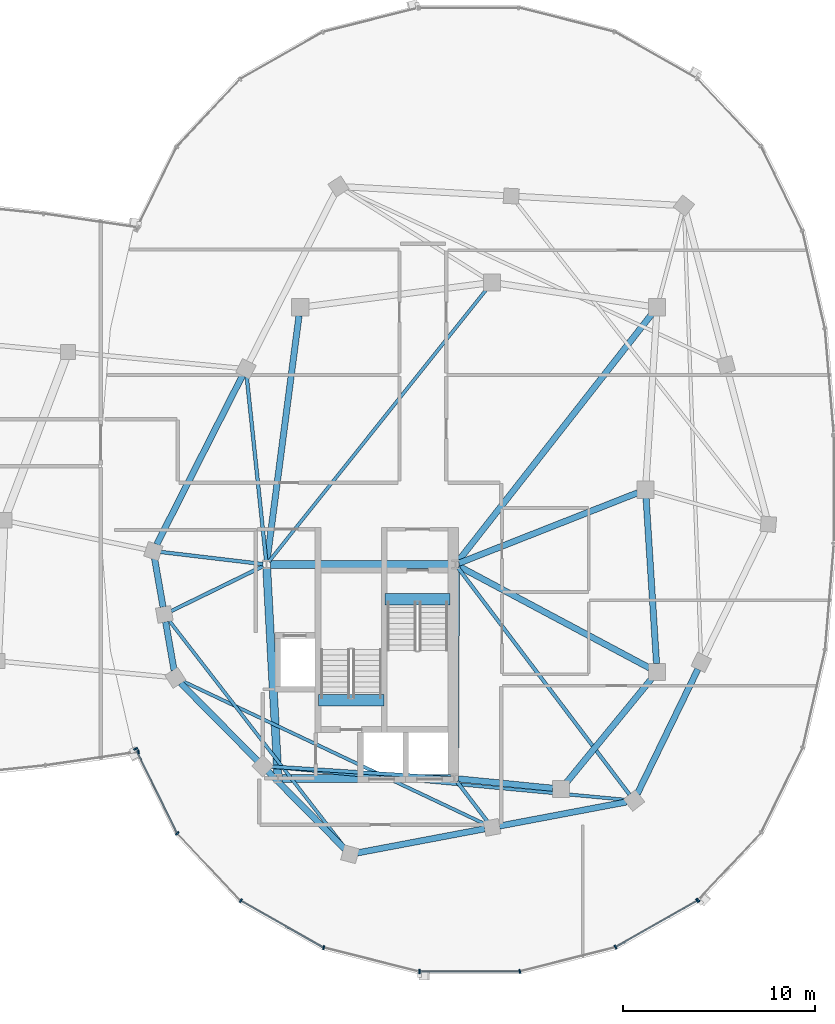
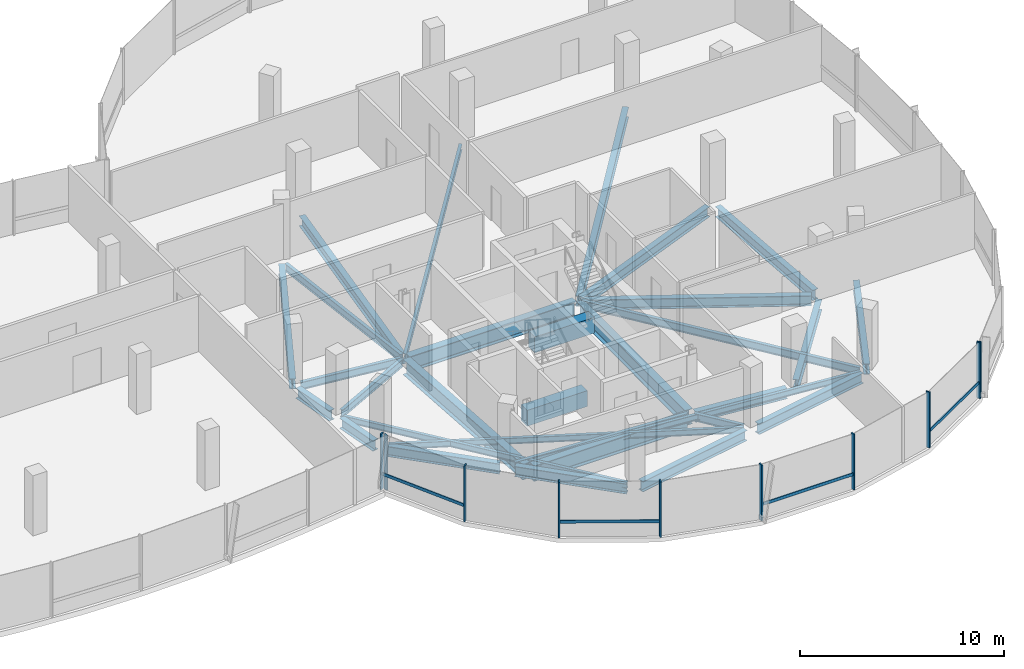
# One storey, part 8 of 25: 31 beams, 14 members, 3 elements without a shape of their own.
"""IFC4 building model written with IfcOpenShell, lengths in metres."""

from ifc_helpers import new_model, si_unit, direction, frame, origin, origin_2d, place, context, subcontext, project, spatial, rectangle, i_section, extrude, material, material_profile, profile_set, type_object, element, aggregate, save


model = new_model("IFC4")

# Units and contexts
model_context = context("Model", 3, precision=1e-05, world=origin(), true_north=direction((0.0, 1.0)))
body_context = subcontext(model_context, "Body", "Model", "MODEL_VIEW")
ifc_project = project(units=[si_unit("LENGTHUNIT", "METRE"), si_unit("AREAUNIT", "SQUARE_METRE"), si_unit("VOLUMEUNIT", "CUBIC_METRE"), si_unit("PLANEANGLEUNIT", "RADIAN"), si_unit("MASSUNIT", "GRAM", prefix="KILO"), si_unit("THERMODYNAMICTEMPERATUREUNIT", "KELVIN"), si_unit("POWERUNIT", "WATT")], contexts=[model_context])

# Site, building, storey
site_placement = place(None, origin())
site = spatial("IfcSite", under=ifc_project, at=site_placement, CompositionType="ELEMENT")
building_placement = place(site_placement, origin())
building = spatial("IfcBuilding", under=site, at=building_placement, Name="Cundina Bronze Exchange", CompositionType="ELEMENT")
storey_placement = place(building_placement, frame((0.0, 0.0, 246.800048828125)))
storey = spatial("IfcBuildingStorey", under=building, at=storey_placement, Name="L65", CompositionType="ELEMENT", Elevation=246.800048828125)

# Beams
ifc_material_1 = material(Name="Concrete C60/75", Category="concrete")
ifc_material_profile_1 = material_profile(ifc_material_1, rectangle(XDim=0.60009765625, YDim=0.949951171875, at=origin_2d()), Name="RC600X950", Category="concrete")
ifc_profile_set_1 = profile_set([ifc_material_profile_1], Name="Concrete C60/75")
beam_type_1 = type_object("IfcBeamType", Name="BM-COUP-RC950", PredefinedType="LINTEL", material=ifc_profile_set_1)
beam_1_placement = place(storey_placement, frame((27.6201171875, -5.719970703125, -0.47509765625), z_axis=(1.0, 0.0, 0.0), x_axis=(0.0, 1.0, 0.0)))
element("IfcBeam", 1, at=beam_1_placement, inside=storey, type_object=beam_type_1, Name="L65 Stair E1 Landing Header Beam", PredefinedType="LINTEL", context=body_context, shape_type="SweptSolid", body=[
    extrude(rectangle(XDim=0.60009765625, YDim=0.949951171875, at=origin_2d()), origin(), (0.0, 0.0, 1.0), 3.39990234375),
])
beam_2_placement = place(storey_placement, frame((24.159912109375, -10.97998046875, -0.47509765625), z_axis=(1.0, 0.0, 0.0), x_axis=(0.0, 1.0, 0.0)))
element("IfcBeam", 2, at=beam_2_placement, inside=storey, type_object=beam_type_1, Name="L65 Stair E2 Landing Header Beam", PredefinedType="LINTEL", context=body_context, shape_type="SweptSolid", body=[
    extrude(rectangle(XDim=0.60009765625, YDim=0.949951171875, at=origin_2d()), origin(), (0.0, 0.0, 1.0), 3.400146484375),
])
ifc_material_2 = material(Name="Steel ASTM A992 Grade 50", Category="steel")
ifc_material_profile_2 = material_profile(ifc_material_2, i_section(OverallWidth=0.19091796875, OverallDepth=0.4599609375, WebThickness=0.010009765625, FlangeThickness=0.01611328125, FilletRadius=0.011962890625, at=origin_2d()), Name="W18X55", Category="steel")
ifc_profile_set_2 = profile_set([ifc_material_profile_2], Name="Steel ASTM A992 Grade 50")
beam_type_2 = type_object("IfcBeamType", Name="BM-FLR-W18B", PredefinedType="BEAM", material=ifc_profile_set_2)
beam_3_placement = place(storey_placement, frame((21.25537109375, -3.876953125, -0.489990234375), z_axis=(-0.993031892142, 0.117845921393, 0.0), x_axis=(-0.117845921393, -0.993031892142, 0.0)))
element("IfcBeam", 3, at=beam_3_placement, inside=storey, type_object=beam_type_2, Name="L65 Leg E Chordal Floor Beam 00", PredefinedType="BEAM", context=body_context, shape_type="SweptSolid", body=[
    extrude(i_section(OverallWidth=0.19091796875, OverallDepth=0.4599609375, WebThickness=0.010009765625, FlangeThickness=0.01611328125, FilletRadius=0.011962890625, at=origin_2d()), origin(), (0.0, 0.0, 1.0), 5.357421875),
])
beam_4_placement = place(storey_placement, frame((21.27392578125, -3.986083984375, -0.489990234375), z_axis=(-0.898610260891, -0.438747762412, 0.0), x_axis=(0.438747762412, -0.898610260891, 0.0)))
element("IfcBeam", 4, at=beam_4_placement, inside=storey, type_object=beam_type_2, Name="L65 Leg E Chordal Floor Beam 01", PredefinedType="BEAM", context=body_context, shape_type="SweptSolid", body=[
    extrude(i_section(OverallWidth=0.19091796875, OverallDepth=0.4599609375, WebThickness=0.010009765625, FlangeThickness=0.01611328125, FilletRadius=0.011962890625, at=origin_2d()), origin(), (0.0, 0.0, 1.0), 5.341796875),
])
beam_5_placement = place(storey_placement, frame((31.054443359375, -15.037353515625, -0.489990234375), z_axis=(-0.997894580734, 0.064856809527, 0.0), x_axis=(-0.064856809527, -0.997894580734, 0.0)))
element("IfcBeam", 5, at=beam_5_placement, inside=storey, type_object=beam_type_2, Name="L65 Leg E Chordal Floor Beam 03", PredefinedType="BEAM", context=body_context, shape_type="SweptSolid", body=[
    extrude(i_section(OverallWidth=0.19091796875, OverallDepth=0.4599609375, WebThickness=0.010009765625, FlangeThickness=0.01611328125, FilletRadius=0.011962890625, at=origin_2d()), origin(), (0.0, 0.0, 1.0), 9.43701171875),
])
beam_6_placement = place(storey_placement, frame((31.369140625, -15.205810546875, -0.489990234375), z_axis=(0.607470812638, -0.794341999263, 0.0), x_axis=(0.794341999263, 0.607470812638, 0.0)))
element("IfcBeam", 6, at=beam_6_placement, inside=storey, type_object=beam_type_2, Name="L65 Leg E Chordal Floor Beam 05", PredefinedType="BEAM", context=body_context, shape_type="SweptSolid", body=[
    extrude(i_section(OverallWidth=0.19091796875, OverallDepth=0.4599609375, WebThickness=0.010009765625, FlangeThickness=0.01611328125, FilletRadius=0.011962890625, at=origin_2d()), origin(), (0.0, 0.0, 1.0), 2.6259765625),
])
beam_7_placement = place(storey_placement, frame((31.418212890625, -4.056396484375, -0.489990234375), z_axis=(0.603112871583, -0.797655855699, 0.0), x_axis=(0.797655855699, 0.603112871583, 0.0)))
element("IfcBeam", 7, at=beam_7_placement, inside=storey, type_object=beam_type_2, Name="L65 Leg E Chordal Floor Beam 06", PredefinedType="BEAM", context=body_context, shape_type="SweptSolid", body=[
    extrude(i_section(OverallWidth=0.19091796875, OverallDepth=0.4599609375, WebThickness=0.010009765625, FlangeThickness=0.01611328125, FilletRadius=0.011962890625, at=origin_2d()), origin(), (0.0, 0.0, 1.0), 14.8359375),
])
beam_8_placement = place(storey_placement, frame((21.429443359375, -3.705078125, -0.489990234375), z_axis=(-0.10480040809, 0.994493275223, 0.0), x_axis=(-0.994493275223, -0.10480040809, 0.0)))
element("IfcBeam", 8, at=beam_8_placement, inside=storey, type_object=beam_type_2, Name="L65 Leg E Chordal Floor Beam 13", PredefinedType="BEAM", context=body_context, shape_type="SweptSolid", body=[
    extrude(i_section(OverallWidth=0.19091796875, OverallDepth=0.4599609375, WebThickness=0.010009765625, FlangeThickness=0.01611328125, FilletRadius=0.011962890625, at=origin_2d()), origin(), (0.0, 0.0, 1.0), 9.67236328125),
])
ifc_material_profile_3 = material_profile(ifc_material_2, i_section(OverallWidth=0.172119140625, OverallDepth=0.35791015625, WebThickness=0.0078125, FlangeThickness=0.01318359375, FilletRadius=0.010009765625, at=origin_2d()), Name="W14X38", Category="steel")
ifc_profile_set_3 = profile_set([ifc_material_profile_3], Name="Steel ASTM A992 Grade 50")
beam_type_3 = type_object("IfcBeamType", Name="BM-JST-W14", PredefinedType="JOIST", material=ifc_profile_set_3)
beam_9_placement = place(storey_placement, frame((21.572509765625, -3.746826171875, -0.43896484375), z_axis=(0.624364266872, 0.781133319129, 0.0), x_axis=(-0.781133319129, 0.624364266872, 0.0)))
element("IfcBeam", 9, at=beam_9_placement, inside=storey, type_object=beam_type_3, Name="L65 E Interior Core-to-Ring Joist 2", PredefinedType="JOIST", context=body_context, shape_type="SweptSolid", body=[
    extrude(i_section(OverallWidth=0.172119140625, OverallDepth=0.35791015625, WebThickness=0.0078125, FlangeThickness=0.01318359375, FilletRadius=0.010009765625, at=origin_2d()), origin(), (0.0, 0.0, 1.0), 18.184814453125),
])
beam_10_placement = place(storey_placement, frame((16.362548828125, -6.806884765625, -0.43896484375), z_axis=(0.612077855816, -0.790797507849, 0.0), x_axis=(0.790797507849, 0.612077855816, 0.0)))
element("IfcBeam", 10, at=beam_10_placement, inside=storey, type_object=beam_type_3, Name="L65 Leg E Lobe Floor Joist 01-04", PredefinedType="JOIST", context=body_context, shape_type="SweptSolid", body=[
    extrude(i_section(OverallWidth=0.172119140625, OverallDepth=0.35791015625, WebThickness=0.0078125, FlangeThickness=0.01318359375, FilletRadius=0.010009765625, at=origin_2d()), origin(), (0.0, 0.0, 1.0), 15.03076171875),
])
beam_11_placement = place(storey_placement, frame((17.05078125, -9.9658203125, -0.43896484375), z_axis=(0.904073247994, -0.427377540661, 0.0), x_axis=(0.427377540661, 0.904073247994, 0.0)))
element("IfcBeam", 11, at=beam_11_placement, inside=storey, type_object=beam_type_3, Name="L65 Leg E Lobe Floor Joist 02-05", PredefinedType="JOIST", context=body_context, shape_type="SweptSolid", body=[
    extrude(i_section(OverallWidth=0.172119140625, OverallDepth=0.35791015625, WebThickness=0.0078125, FlangeThickness=0.01318359375, FilletRadius=0.010009765625, at=origin_2d()), origin(), (0.0, 0.0, 1.0), 17.474609375),
])
beam_12_placement = place(storey_placement, frame((21.63623046875, -14.435791015625, -0.43896484375), z_axis=(0.995700514338, -0.092630911398, 0.0), x_axis=(0.092630911398, 0.995700514338, 0.0)))
element("IfcBeam", 12, at=beam_12_placement, inside=storey, type_object=beam_type_3, Name="L65 Leg E Lobe Floor Joist 03-06", PredefinedType="JOIST", context=body_context, shape_type="SweptSolid", body=[
    extrude(i_section(OverallWidth=0.172119140625, OverallDepth=0.35791015625, WebThickness=0.0078125, FlangeThickness=0.01318359375, FilletRadius=0.010009765625, at=origin_2d()), origin(), (0.0, 0.0, 1.0), 18.65771484375),
])
ifc_material_profile_4 = material_profile(ifc_material_2, i_section(OverallWidth=0.324951171875, OverallDepth=0.615966796875, WebThickness=0.013916015625, FlangeThickness=0.021484375, FilletRadius=0.01611328125, at=origin_2d()), Name="W24X117", Category="steel")
ifc_profile_set_4 = profile_set([ifc_material_profile_4], Name="Steel ASTM A992 Grade 50")
beam_type_4 = type_object("IfcBeamType", Name="BM-RING-W24", PredefinedType="USERDEFINED", material=ifc_profile_set_4)
beam_13_placement = place(storey_placement, frame((31.445068359375, -15.0693359375, -0.568115234375), z_axis=(0.995123854478, -0.09863323096, 0.0), x_axis=(0.09863323096, 0.995123854478, 0.0)))
element("IfcBeam", 13, at=beam_13_placement, inside=storey, type_object=beam_type_4, Name="L65 E Inner Structural Ring Girder 01", ObjectType="GIRDER", PredefinedType="USERDEFINED", context=body_context, shape_type="SweptSolid", body=[
    extrude(i_section(OverallWidth=0.324951171875, OverallDepth=0.615966796875, WebThickness=0.013916015625, FlangeThickness=0.021484375, FilletRadius=0.01611328125, at=origin_2d()), origin(), (0.0, 0.0, 1.0), 4.943115234375),
])
beam_14_placement = place(storey_placement, frame((37.07763671875, -15.26123046875, -0.568115234375), z_axis=(0.633912590175, 0.77340469873, 0.0), x_axis=(-0.77340469873, 0.633912590175, 0.0)))
element("IfcBeam", 14, at=beam_14_placement, inside=storey, type_object=beam_type_4, Name="L65 E Inner Structural Ring Girder 02", ObjectType="GIRDER", PredefinedType="USERDEFINED", context=body_context, shape_type="SweptSolid", body=[
    extrude(i_section(OverallWidth=0.324951171875, OverallDepth=0.615966796875, WebThickness=0.013916015625, FlangeThickness=0.021484375, FilletRadius=0.01611328125, at=origin_2d()), origin(), (0.0, 0.0, 1.0), 7.01123046875),
])
beam_15_placement = place(storey_placement, frame((41.7724609375, -9.06298828125, -0.568115234375), z_axis=(-0.063046519736, 0.998010589297, 0.0), x_axis=(-0.998010589297, -0.063046519736, 0.0)))
element("IfcBeam", 15, at=beam_15_placement, inside=storey, type_object=beam_type_4, Name="L65 E Inner Structural Ring Girder 03", ObjectType="GIRDER", PredefinedType="USERDEFINED", context=body_context, shape_type="SweptSolid", body=[
    extrude(i_section(OverallWidth=0.324951171875, OverallDepth=0.615966796875, WebThickness=0.013916015625, FlangeThickness=0.021484375, FilletRadius=0.01611328125, at=origin_2d()), origin(), (0.0, 0.0, 1.0), 8.64306640625),
])
beam_16_placement = place(storey_placement, frame((23.143310546875, 9.065673828125, -0.568115234375), z_axis=(-0.129501251979, -0.991579258424, 0.0), x_axis=(0.991579258424, -0.129501251979, 0.0)))
element("IfcBeam", 16, at=beam_16_placement, inside=storey, type_object=beam_type_4, Name="L65 E Inner Structural Ring Girder 07", ObjectType="GIRDER", PredefinedType="USERDEFINED", context=body_context, shape_type="SweptSolid", body=[
    extrude(i_section(OverallWidth=0.324951171875, OverallDepth=0.615966796875, WebThickness=0.013916015625, FlangeThickness=0.021484375, FilletRadius=0.01611328125, at=origin_2d()), origin(), (0.0, 0.0, 1.0), 12.8798828125),
])
beam_17_placement = place(storey_placement, frame((31.482421875, -3.828125, -0.568115234375), z_axis=(0.930404106569, 0.366535398673, 0.0), x_axis=(-0.366535398673, 0.930404106569, 0.0)))
element("IfcBeam", 17, at=beam_17_placement, inside=storey, type_object=beam_type_4, Name="L65 E Core-to-Waist Tie Beam 1", ObjectType="GIRDER", PredefinedType="USERDEFINED", context=body_context, shape_type="SweptSolid", body=[
    extrude(i_section(OverallWidth=0.324951171875, OverallDepth=0.615966796875, WebThickness=0.013916015625, FlangeThickness=0.021484375, FilletRadius=0.01611328125, at=origin_2d()), origin(), (0.0, 0.0, 1.0), 10.00634765625),
])
beam_18_placement = place(storey_placement, frame((31.472900390625, -3.9921875, -0.568115234375), z_axis=(0.882350541683, -0.470592734317, 0.0), x_axis=(0.470592734317, 0.882350541683, 0.0)))
element("IfcBeam", 18, at=beam_18_placement, inside=storey, type_object=beam_type_4, Name="L65 E Core-to-Waist Tie Beam 2", ObjectType="GIRDER", PredefinedType="USERDEFINED", context=body_context, shape_type="SweptSolid", body=[
    extrude(i_section(OverallWidth=0.324951171875, OverallDepth=0.615966796875, WebThickness=0.013916015625, FlangeThickness=0.021484375, FilletRadius=0.01611328125, at=origin_2d()), origin(), (0.0, 0.0, 1.0), 11.26611328125),
])
beam_19_placement = place(storey_placement, frame((31.4208984375, -3.74560546875, -0.568115234375), z_axis=(0.616782900053, 0.787133314123, 0.0), x_axis=(-0.787133314123, 0.616782900053, 0.0)))
element("IfcBeam", 19, at=beam_19_placement, inside=storey, type_object=beam_type_4, Name="L65 E Core-to-Waist Tie Beam 3", ObjectType="GIRDER", PredefinedType="USERDEFINED", context=body_context, shape_type="SweptSolid", body=[
    extrude(i_section(OverallWidth=0.324951171875, OverallDepth=0.615966796875, WebThickness=0.013916015625, FlangeThickness=0.021484375, FilletRadius=0.01611328125, at=origin_2d()), origin(), (0.0, 0.0, 1.0), 16.3896484375),
])
for number, where, z_axis, x_axis, name in (
    (20, (15.61669921875, -3.582275390625, -0.568115234375), (0.171593362587, -0.985167862811, 0.0), (0.985167862811, 0.171593362587, 0.0), "L65 E Perimeter Ring Girder 00"),
    (21, (16.191650390625, -6.882080078125, -0.568115234375), (0.171593362587, -0.985167862811, 0.0), (0.985167862811, 0.171593362587, 0.0), "L65 E Perimeter Ring Girder 01"),
):
    element("IfcBeam", number, at=place(storey_placement, frame(where, z_axis=z_axis, x_axis=x_axis)), inside=storey, type_object=beam_type_4, Name=name, ObjectType="GIRDER", PredefinedType="USERDEFINED", context=body_context, shape_type="SweptSolid", body=[
        extrude(i_section(OverallWidth=0.324951171875, OverallDepth=0.615966796875, WebThickness=0.013916015625, FlangeThickness=0.021484375, FilletRadius=0.01611328125, at=origin_2d()), origin(), (0.0, 0.0, 1.0), 2.57373046875),
    ])
beam_20_placement = place(storey_placement, frame((16.972900390625, -10.075927734375, -0.568115234375), z_axis=(0.703237257446, -0.710955244541, 0.0), x_axis=(0.710955244541, 0.703237257446, 0.0)))
element("IfcBeam", 22, at=beam_20_placement, inside=storey, type_object=beam_type_4, Name="L65 E Perimeter Ring Girder 02", ObjectType="GIRDER", PredefinedType="USERDEFINED", context=body_context, shape_type="SweptSolid", body=[
    extrude(i_section(OverallWidth=0.324951171875, OverallDepth=0.615966796875, WebThickness=0.013916015625, FlangeThickness=0.021484375, FilletRadius=0.01611328125, at=origin_2d()), origin(), (0.0, 0.0, 1.0), 5.69384765625),
])
beam_21_placement = place(storey_placement, frame((21.52294921875, -14.67578125, -0.568115234375), z_axis=(0.703215820204, -0.710976448425, 0.0), x_axis=(0.710976448425, 0.703215820204, 0.0)))
element("IfcBeam", 23, at=beam_21_placement, inside=storey, type_object=beam_type_4, Name="L65 E Perimeter Ring Girder 03", ObjectType="GIRDER", PredefinedType="USERDEFINED", context=body_context, shape_type="SweptSolid", body=[
    extrude(i_section(OverallWidth=0.324951171875, OverallDepth=0.615966796875, WebThickness=0.013916015625, FlangeThickness=0.021484375, FilletRadius=0.01611328125, at=origin_2d()), origin(), (0.0, 0.0, 1.0), 5.694091796875),
])
beam_22_placement = place(storey_placement, frame((26.18115234375, -18.927978515625, -0.568115234375), z_axis=(0.982568104771, 0.185902984072, 0.0), x_axis=(-0.185902984072, 0.982568104771, 0.0)))
element("IfcBeam", 24, at=beam_22_placement, inside=storey, type_object=beam_type_4, Name="L65 E Perimeter Ring Girder 04", ObjectType="GIRDER", PredefinedType="USERDEFINED", context=body_context, shape_type="SweptSolid", body=[
    extrude(i_section(OverallWidth=0.324951171875, OverallDepth=0.615966796875, WebThickness=0.013916015625, FlangeThickness=0.021484375, FilletRadius=0.01611328125, at=origin_2d()), origin(), (0.0, 0.0, 1.0), 6.75537109375),
])
beam_23_placement = place(storey_placement, frame((33.581298828125, -17.52783203125, -0.568115234375), z_axis=(0.982573456977, 0.185874693392, 0.0), x_axis=(-0.185874693392, 0.982573456977, 0.0)))
element("IfcBeam", 25, at=beam_23_placement, inside=storey, type_object=beam_type_4, Name="L65 E Perimeter Ring Girder 05", ObjectType="GIRDER", PredefinedType="USERDEFINED", context=body_context, shape_type="SweptSolid", body=[
    extrude(i_section(OverallWidth=0.324951171875, OverallDepth=0.615966796875, WebThickness=0.013916015625, FlangeThickness=0.021484375, FilletRadius=0.01611328125, at=origin_2d()), origin(), (0.0, 0.0, 1.0), 6.755126953125),
])
beam_24_placement = place(storey_placement, frame((40.76953125, -15.85107421875, -0.568115234375), z_axis=(0.437216986791, 0.899356050995, 0.0), x_axis=(-0.899356050995, 0.437216986791, 0.0)))
element("IfcBeam", 26, at=beam_24_placement, inside=storey, type_object=beam_type_4, Name="L65 E Perimeter Ring Girder 06", ObjectType="GIRDER", PredefinedType="USERDEFINED", context=body_context, shape_type="SweptSolid", body=[
    extrude(i_section(OverallWidth=0.324951171875, OverallDepth=0.615966796875, WebThickness=0.013916015625, FlangeThickness=0.021484375, FilletRadius=0.01611328125, at=origin_2d()), origin(), (0.0, 0.0, 1.0), 7.2294921875),
])
beam_25_placement = place(storey_placement, frame((20.19921875, 5.9541015625, -0.568115234375), z_axis=(-0.452839263805, -0.891592171991, 0.0), x_axis=(0.891592171991, -0.452839263805, 0.0)))
element("IfcBeam", 27, at=beam_25_placement, inside=storey, type_object=beam_type_4, Name="L65 E Perimeter Ring Girder 13", ObjectType="GIRDER", PredefinedType="USERDEFINED", context=body_context, shape_type="SweptSolid", body=[
    extrude(i_section(OverallWidth=0.324951171875, OverallDepth=0.615966796875, WebThickness=0.013916015625, FlangeThickness=0.021484375, FilletRadius=0.01611328125, at=origin_2d()), origin(), (0.0, 0.0, 1.0), 9.879150390625),
])
ifc_material_profile_5 = material_profile(ifc_material_2, i_section(OverallWidth=0.41796875, OverallDepth=0.927001953125, WebThickness=0.019287109375, FlangeThickness=0.031982421875, FilletRadius=0.02392578125, at=origin_2d()), Name="W36X231", Category="steel")
ifc_profile_set_5 = profile_set([ifc_material_profile_5], Name="Steel ASTM A992 Grade 50")
beam_type_5 = type_object("IfcBeamType", Name="BM-WRN-W36B", PredefinedType="USERDEFINED", material=ifc_profile_set_5)
beam_26_placement = place(storey_placement, frame((31.10400390625, -3.89990234375, -0.7236328125), z_axis=(-1.0, 0.0, 0.0), x_axis=(0.0, -1.0, 0.0)))
element("IfcBeam", 28, at=beam_26_placement, inside=storey, type_object=beam_type_5, Name="L65 E Core Perimeter Tie Girder 1", ObjectType="GIRDER", PredefinedType="USERDEFINED", context=body_context, shape_type="SweptSolid", body=[
    extrude(i_section(OverallWidth=0.41796875, OverallDepth=0.927001953125, WebThickness=0.019287109375, FlangeThickness=0.031982421875, FilletRadius=0.02392578125, at=origin_2d()), origin(), (0.0, 0.0, 1.0), 9.4580078125),
])
beam_27_placement = place(storey_placement, frame((21.46044921875, -4.095703125, -0.7236328125), z_axis=(0.053749317644, -0.998554460634, 0.0), x_axis=(0.998554460634, 0.053749317644, 0.0)))
element("IfcBeam", 29, at=beam_27_placement, inside=storey, type_object=beam_type_5, Name="L65 E Core Perimeter Tie Girder 2", ObjectType="GIRDER", PredefinedType="USERDEFINED", context=body_context, shape_type="SweptSolid", body=[
    extrude(i_section(OverallWidth=0.41796875, OverallDepth=0.927001953125, WebThickness=0.019287109375, FlangeThickness=0.031982421875, FilletRadius=0.02392578125, at=origin_2d()), origin(), (0.0, 0.0, 1.0), 10.774169921875),
])
beam_28_placement = place(storey_placement, frame((22.24609375, -15.050048828125, -0.7236328125), z_axis=(1.0, 0.0, 0.0), x_axis=(0.0, 1.0, 0.0)))
element("IfcBeam", 30, at=beam_28_placement, inside=storey, type_object=beam_type_5, Name="L65 E Core Perimeter Tie Girder 3", ObjectType="GIRDER", PredefinedType="USERDEFINED", context=body_context, shape_type="SweptSolid", body=[
    extrude(i_section(OverallWidth=0.41796875, OverallDepth=0.927001953125, WebThickness=0.019287109375, FlangeThickness=0.031982421875, FilletRadius=0.02392578125, at=origin_2d()), origin(), (0.0, 0.0, 1.0), 8.807861328125),
])
beam_29_placement = place(storey_placement, frame((31.2509765625, -14.85400390625, -0.7236328125), z_axis=(0.004470623654, 0.999990006712, 0.0), x_axis=(-0.999990006712, 0.004470623654, 0.0)))
element("IfcBeam", 31, at=beam_29_placement, inside=storey, type_object=beam_type_5, Name="L65 E Core Perimeter Tie Girder 4", ObjectType="GIRDER", PredefinedType="USERDEFINED", context=body_context, shape_type="SweptSolid", body=[
    extrude(i_section(OverallWidth=0.41796875, OverallDepth=0.927001953125, WebThickness=0.019287109375, FlangeThickness=0.031982421875, FilletRadius=0.02392578125, at=origin_2d()), origin(), (0.0, 0.0, 1.0), 10.758056640625),
])

# Curtain wall, members
ifc_material_3 = material(Name="Anodised Bronze Aluminium 6063-T6", Category="aluminium")
curtain_wall_type = type_object("IfcCurtainWallType", Name="CWS-SKG-BRG", PredefinedType="NOTDEFINED", material=ifc_material_3)
curtain_wall_1_placement = place(storey_placement, origin())
curtain_wall_1 = element("IfcCurtainWall", 32, at=curtain_wall_1_placement, inside=storey, type_object=curtain_wall_type, Name="L65 CW-06 Curtain Wall Run CWR-L65-E3", PredefinedType="NOTDEFINED")
ifc_material_profile_6 = material_profile(ifc_material_3, rectangle(XDim=0.074951171875, YDim=0.219970703125, at=origin_2d()), Name="AL75X220", Category="aluminium")
ifc_profile_set_6 = profile_set([ifc_material_profile_6], Name="Anodised Bronze Aluminium 6063-T6")
member_type_1 = type_object("IfcMemberType", Name="CWM-MUL-220", PredefinedType="MULLION", material=ifc_profile_set_6)
member_1_placement = place(storey_placement, frame((14.630859375, -13.50390625, 0.0), z_axis=(0.0, 0.0, 1.0), x_axis=(0.440566004113, -0.897720221461, 0.0)))
member_1 = element("IfcMember", 33, at=member_1_placement, type_object=member_type_1, Name="CW-06 Mullion 1", PredefinedType="MULLION", context=body_context, shape_type="SweptSolid", body=[
    extrude(rectangle(XDim=0.074951171875, YDim=0.219970703125, at=origin_2d()), origin(), (0.0, 0.0, 1.0), 3.33984375),
])
member_2_placement = place(storey_placement, frame((16.8037109375, -17.910400390625, 0.0), z_axis=(0.0, 0.0, 1.0), x_axis=(0.684292606175, -0.729207535023, 0.0)))
member_2 = element("IfcMember", 34, at=member_2_placement, type_object=member_type_1, Name="CW-06 Mullion 2", PredefinedType="MULLION", context=body_context, shape_type="SweptSolid", body=[
    extrude(rectangle(XDim=0.074951171875, YDim=0.219970703125, at=origin_2d()), origin(), (0.0, 0.0, 1.0), 3.33984375),
])
member_3_placement = place(storey_placement, frame((20.11083984375, -21.419921875, 0.0), z_axis=(0.0, 0.0, 1.0), x_axis=(0.86958112538, -0.493790103568, 0.0)))
member_3 = element("IfcMember", 35, at=member_3_placement, type_object=member_type_1, Name="CW-06 Mullion 3", PredefinedType="MULLION", context=body_context, shape_type="SweptSolid", body=[
    extrude(rectangle(XDim=0.074951171875, YDim=0.219970703125, at=origin_2d()), origin(), (0.0, 0.0, 1.0), 3.33984375),
])
member_4_placement = place(storey_placement, frame((24.4296875, -23.86181640625, 0.0), z_axis=(0.0, 0.0, 1.0), x_axis=(0.969744325821, -0.244122802168, 0.0)))
member_4 = element("IfcMember", 36, at=member_4_placement, type_object=member_type_1, Name="CW-06 Mullion 4", PredefinedType="MULLION", context=body_context, shape_type="SweptSolid", body=[
    extrude(rectangle(XDim=0.074951171875, YDim=0.219970703125, at=origin_2d()), origin(), (0.0, 0.0, 1.0), 3.33984375),
])
member_5_placement = place(storey_placement, frame((29.423583984375, -25.110107421875, 0.0), z_axis=(0.0, 0.0, 1.0), x_axis=(1.0, 0.0, 0.0)))
member_5 = element("IfcMember", 37, at=member_5_placement, type_object=member_type_1, Name="CW-06 Mullion 5", PredefinedType="MULLION", context=body_context, shape_type="SweptSolid", body=[
    extrude(rectangle(XDim=0.074951171875, YDim=0.219970703125, at=origin_2d()), origin(), (0.0, 0.0, 1.0), 3.33984375),
])
member_6_placement = place(storey_placement, frame((34.648193359375, -25.10107421875, 0.0), z_axis=(0.0, 0.0, 1.0), x_axis=(0.969744325821, 0.244122802168, 0.0)))
member_6 = element("IfcMember", 38, at=member_6_placement, type_object=member_type_1, Name="CW-06 Mullion 6", PredefinedType="MULLION", context=body_context, shape_type="SweptSolid", body=[
    extrude(rectangle(XDim=0.074951171875, YDim=0.219970703125, at=origin_2d()), origin(), (0.0, 0.0, 1.0), 3.33984375),
])
member_7_placement = place(storey_placement, frame((39.634521484375, -23.8359375, 0.0), z_axis=(0.0, 0.0, 1.0), x_axis=(0.86958112538, 0.493790103568, 0.0)))
member_7 = element("IfcMember", 39, at=member_7_placement, type_object=member_type_1, Name="CW-06 Mullion 7", PredefinedType="MULLION", context=body_context, shape_type="SweptSolid", body=[
    extrude(rectangle(XDim=0.074951171875, YDim=0.219970703125, at=origin_2d()), origin(), (0.0, 0.0, 1.0), 3.33984375),
])
member_8_placement = place(storey_placement, frame((43.88916015625, -21.419921875, 0.0), z_axis=(0.0, 0.0, 1.0), x_axis=(0.86958112538, 0.493790103568, 0.0)))
member_8 = element("IfcMember", 40, at=member_8_placement, type_object=member_type_1, Name="CW-06 End Mullion", PredefinedType="MULLION", context=body_context, shape_type="SweptSolid", body=[
    extrude(rectangle(XDim=0.074951171875, YDim=0.219970703125, at=origin_2d()), origin(), (0.0, 0.0, 1.0), 3.33984375),
])

# Curtain wall, member
curtain_wall_2_placement = place(storey_placement, origin())
curtain_wall_2 = element("IfcCurtainWall", 41, at=curtain_wall_2_placement, inside=storey, type_object=curtain_wall_type, Name="L65 CW-06 Curtain Wall Run CWR-L65-E4", PredefinedType="NOTDEFINED")
member_9_placement = place(storey_placement, frame((43.940185546875, -21.3798828125, 0.0), z_axis=(0.0, 0.0, 1.0), x_axis=(0.684292606175, 0.729207535023, 0.0)))
member_9 = element("IfcMember", 42, at=member_9_placement, type_object=member_type_1, Name="CW-06 Mullion 1", PredefinedType="MULLION", context=body_context, shape_type="SweptSolid", body=[
    extrude(rectangle(XDim=0.074951171875, YDim=0.219970703125, at=origin_2d()), origin(), (0.0, 0.0, 1.0), 3.33984375),
])
aggregate(curtain_wall_2, [member_9])

curtain_wall_3_placement = place(storey_placement, origin())
curtain_wall_3 = element("IfcCurtainWall", 43, at=curtain_wall_3_placement, inside=storey, type_object=curtain_wall_type, Name="L65 CW-06 Curtain Wall Run CWR-L65-BRGS", PredefinedType="NOTDEFINED")
member_10_placement = place(storey_placement, frame((14.779296875, -13.658935546875, 0.0), z_axis=(0.0, 0.0, 1.0), x_axis=(0.989525789069, 0.144356201001, 0.0)))
member_10 = element("IfcMember", 44, at=member_10_placement, type_object=member_type_1, Name="CW-06 End Mullion", PredefinedType="MULLION", context=body_context, shape_type="SweptSolid", body=[
    extrude(rectangle(XDim=0.074951171875, YDim=0.219970703125, at=origin_2d()), origin(), (0.0, 0.0, 1.0), 3.280029296875),
])
aggregate(curtain_wall_3, [member_10])

# Member
ifc_material_profile_7 = material_profile(ifc_material_3, rectangle(XDim=0.070068359375, YDim=0.179931640625, at=origin_2d()), Name="AL70X180", Category="aluminium")
ifc_profile_set_7 = profile_set([ifc_material_profile_7], Name="Anodised Bronze Aluminium 6063-T6")
member_type_2 = type_object("IfcMemberType", Name="CWM-TRN-180", PredefinedType="USERDEFINED", material=ifc_profile_set_7)
member_11_placement = place(storey_placement, frame((14.64892578125, -13.541015625, 0.919921875), z_axis=(0.440554408939, -0.897725911826, 0.0), x_axis=(0.897725911826, 0.440554408939, 0.0)))
member_11 = element("IfcMember", 45, at=member_11_placement, type_object=member_type_2, Name="CW-06 Spandrel Transom 1", ObjectType="TRANSOM", PredefinedType="USERDEFINED", context=body_context, shape_type="SweptSolid", body=[
    extrude(rectangle(XDim=0.070068359375, YDim=0.179931640625, at=origin_2d()), origin(), (0.0, 0.0, 1.0), 4.848388671875),
])

member_12_placement = place(storey_placement, frame((20.146728515625, -21.440185546875, 0.919921875), z_axis=(0.869557366176, -0.493831941989, 0.0), x_axis=(0.493831941989, 0.869557366176, 0.0)))
member_12 = element("IfcMember", 46, at=member_12_placement, type_object=member_type_2, Name="CW-06 Spandrel Transom 3", ObjectType="TRANSOM", PredefinedType="USERDEFINED", context=body_context, shape_type="SweptSolid", body=[
    extrude(rectangle(XDim=0.070068359375, YDim=0.179931640625, at=origin_2d()), origin(), (0.0, 0.0, 1.0), 4.892822265625),
])

member_13_placement = place(storey_placement, frame((29.464599609375, -25.110107421875, 0.919921875), z_axis=(1.0, 0.0, 0.0), x_axis=(0.0, 1.0, 0.0)))
member_13 = element("IfcMember", 47, at=member_13_placement, type_object=member_type_2, Name="CW-06 Spandrel Transom 5", ObjectType="TRANSOM", PredefinedType="USERDEFINED", context=body_context, shape_type="SweptSolid", body=[
    extrude(rectangle(XDim=0.070068359375, YDim=0.179931640625, at=origin_2d()), origin(), (0.0, 0.0, 1.0), 5.1533203125),
])

member_14_placement = place(storey_placement, frame((39.67041015625, -23.815673828125, 0.919921875), z_axis=(0.869558105282, 0.493830640542, 0.0), x_axis=(-0.493830640542, 0.869558105282, 0.0)))
member_14 = element("IfcMember", 48, at=member_14_placement, type_object=member_type_2, Name="CW-06 Spandrel Transom 7", ObjectType="TRANSOM", PredefinedType="USERDEFINED", context=body_context, shape_type="SweptSolid", body=[
    extrude(rectangle(XDim=0.070068359375, YDim=0.179931640625, at=origin_2d()), origin(), (0.0, 0.0, 1.0), 4.810302734375),
])

aggregate(curtain_wall_1, [member_1, member_11, member_2, member_3, member_12, member_4, member_5, member_13, member_6, member_7, member_8, member_14])

save(model, "model.ifc")
